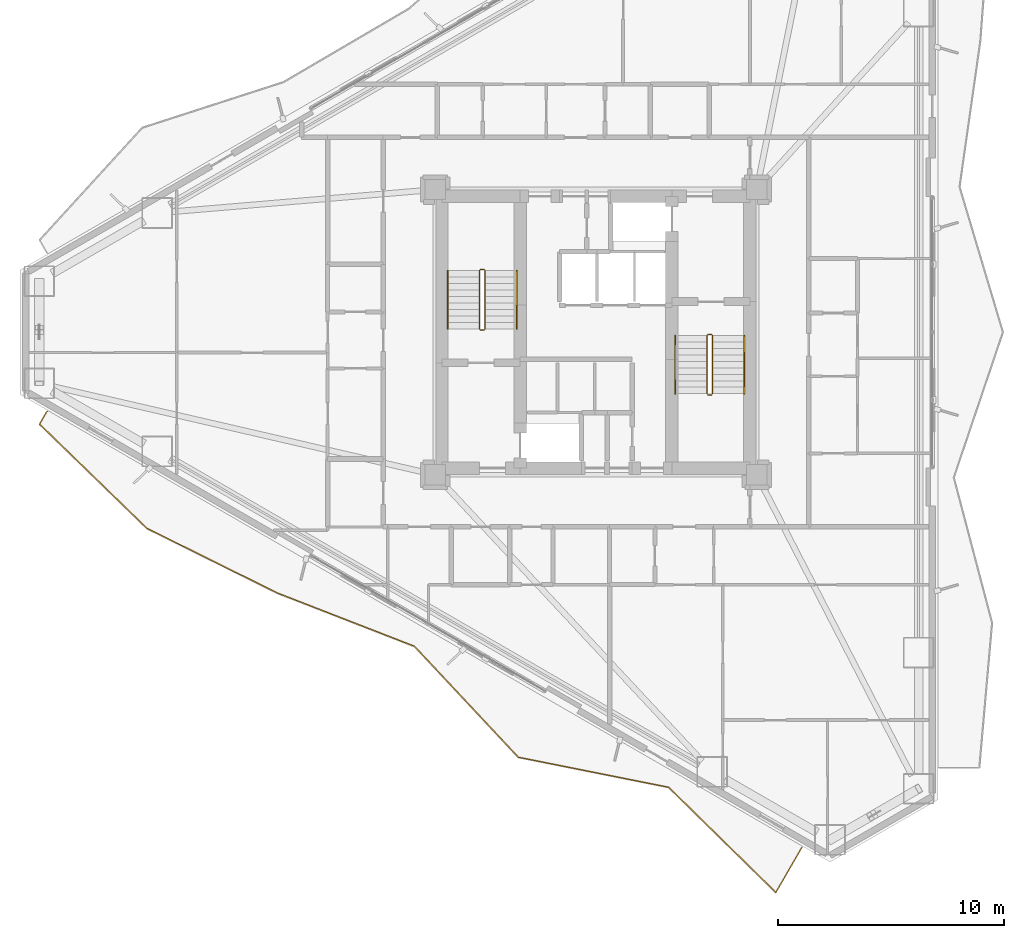
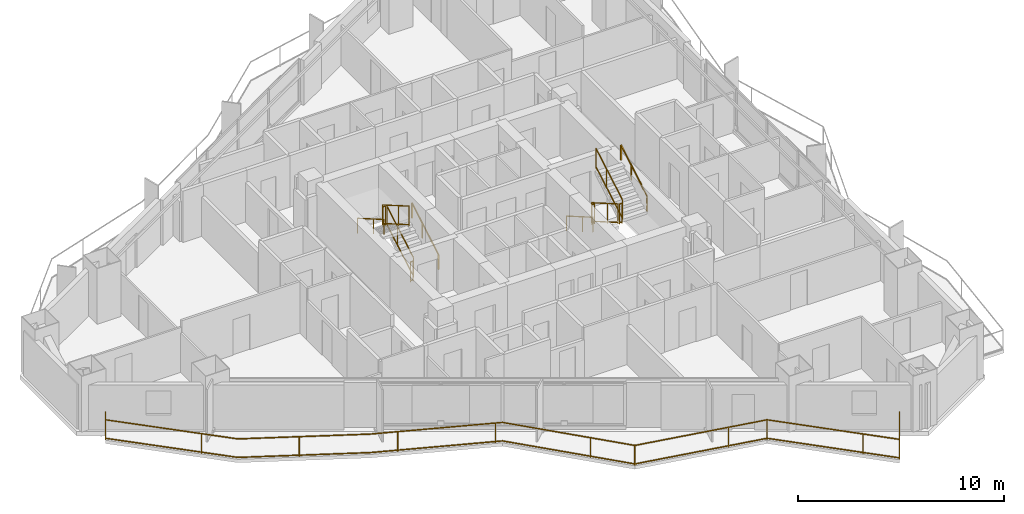
# One storey, part 18 of 19: 13 railings.
"""IFC4 building model written with IfcOpenShell, lengths in metres."""

import ifcopenshell
import ifcopenshell.guid

model = None  # the IFC model being written
_history = None  # IfcOwnerHistory: only IFC2X3 demands one
_inside = {}  # id of a spatial element -> (the spatial element, [elements in it])
_under = {}  # id of a project, library or spatial element -> (it, [spatial elements below it])
_declared = {}  # id of a project -> (the project, [libraries it declares])
_typed = {}  # id of a type object -> (the type object, [elements of that type])
_made_of = {}  # id of a material, layer set ... -> (it, [elements and type objects made of it])


def new_model(schema):
    """Start an empty IFC model of exactly this schema.

    Asked for "IFC4X3", IfcOpenShell would pick the latest addendum, in which some entities
    have other attributes; the version numbers below select the first issue.
    IFC2X3 requires an IfcOwnerHistory on every rooted entity: one is made here for all.
    """
    global model, _history
    if schema == "IFC4X3":
        model = ifcopenshell.file(schema_version=(4, 3, 0, 0))
    else:
        model = ifcopenshell.file(schema=schema)
    _inside.clear()
    _under.clear()
    _declared.clear()
    _typed.clear()
    _made_of.clear()
    _history = None
    if model.schema == "IFC2X3":
        org = make("IfcOrganization", Name="unknown")
        user = make(
            "IfcPersonAndOrganization",
            ThePerson=make("IfcPerson", FamilyName="unknown"),
            TheOrganization=org,
        )
        app = make(
            "IfcApplication",
            ApplicationDeveloper=org,
            Version="unknown",
            ApplicationFullName="unknown",
            ApplicationIdentifier="unknown",
        )
        _history = make(
            "IfcOwnerHistory",
            OwningUser=user,
            OwningApplication=app,
            ChangeAction="ADDED",
            CreationDate=0,
        )
    return model


def make(cls, **values):
    """One entity of the class cls with the attributes given. An attribute that is None is left unset."""
    return model.create_entity(
        cls, **{name: value for name, value in values.items() if value is not None}
    )


def rooted(cls, **values):
    """An entity with a GlobalId (a new one), such as an element, a storey or a relation."""
    return make(cls, GlobalId=ifcopenshell.guid.new(), OwnerHistory=_history, **values)


def si_unit(unit_type, name, prefix=None):
    """IfcSIUnit, for example si_unit("LENGTHUNIT", "METRE", prefix="MILLI")."""
    return make("IfcSIUnit", UnitType=unit_type, Prefix=prefix, Name=name)


def assignment(units):
    """IfcUnitAssignment: the units of a project."""
    return None if units is None else make("IfcUnitAssignment", Units=units)


def point(xyz):
    """IfcCartesianPoint."""
    return None if xyz is None else make("IfcCartesianPoint", Coordinates=xyz)


def direction(xyz):
    """IfcDirection."""
    return None if xyz is None else make("IfcDirection", DirectionRatios=xyz)


def frame(location, z_axis=None, x_axis=None):
    """IfcAxis2Placement3D, a coordinate frame: its origin and axes. An axis left out is left unset."""
    return make(
        "IfcAxis2Placement3D",
        Location=point(location),
        Axis=direction(z_axis),
        RefDirection=direction(x_axis),
    )


def frame_2d(location, x_axis=None):
    """IfcAxis2Placement2D, a coordinate frame in the plane: its origin and x axis."""
    return make(
        "IfcAxis2Placement2D", Location=point(location), RefDirection=direction(x_axis)
    )


def origin():
    """The frame at (0, 0, 0) with its axes left unset."""
    return frame((0.0, 0.0, 0.0))


def origin_2d():
    """The frame at (0, 0) in the plane with its x axis left unset."""
    return frame_2d((0.0, 0.0))


def place(relative_to, where):
    """IfcLocalPlacement: puts the frame where relative to a parent placement (None: the world)."""
    return make(
        "IfcLocalPlacement", PlacementRelTo=relative_to, RelativePlacement=where
    )


def context(
    kind, dimensions, precision=None, world=None, true_north=None, identifier=None
):
    """IfcGeometricRepresentationContext, for example the 3D "Model" context."""
    return make(
        "IfcGeometricRepresentationContext",
        ContextIdentifier=identifier,
        ContextType=kind,
        CoordinateSpaceDimension=dimensions,
        Precision=precision,
        WorldCoordinateSystem=world,
        TrueNorth=true_north,
    )


def subcontext(parent, identifier, kind, view, scale=None):
    """IfcGeometricRepresentationSubContext, for example "Body" below "Model"."""
    return make(
        "IfcGeometricRepresentationSubContext",
        ContextIdentifier=identifier,
        ContextType=kind,
        ParentContext=parent,
        TargetScale=scale,
        TargetView=view,
    )


def project(units=None, contexts=None):
    """IfcProject with its units and contexts."""
    return rooted(
        "IfcProject",
        Name="project",
        RepresentationContexts=contexts,
        UnitsInContext=assignment(units),
    )


def spatial(cls, under=None, at=None, **own):
    """A site, building, storey or space (cls), placed at a placement, below another one or the project."""
    s = rooted(cls, ObjectPlacement=at, **own)
    if under is not None:
        _under.setdefault(under.id(), (under, []))[1].append(s)
    return s


def profile(cls, at=None, kind="AREA", **sizes):
    """A parametric profile (cls). Its sizes go by their IFC names, for example OverallWidth=200.0."""
    return make(cls, ProfileType=kind, Position=at, **sizes)


def rectangle(**sizes):
    """IfcRectangleProfileDef."""
    return profile("IfcRectangleProfileDef", **sizes)


def extrude(swept, where, along, depth):
    """IfcExtrudedAreaSolid: the profile swept, set in the frame where, extruded along a direction by depth."""
    return make(
        "IfcExtrudedAreaSolid",
        SweptArea=swept,
        Position=where,
        ExtrudedDirection=direction(along),
        Depth=depth,
    )


def shape(context_of_items, identifier, shape_type, items):
    """IfcShapeRepresentation: the items that make up one representation, for example the "Body"."""
    return make(
        "IfcShapeRepresentation",
        ContextOfItems=context_of_items,
        RepresentationIdentifier=identifier,
        RepresentationType=shape_type,
        Items=items,
    )


def material(Name=None, Category=None):
    """IfcMaterial."""
    return make("IfcMaterial", Name=Name, Category=Category)


def made_of(thing, what):
    """Note that an element or type object is made of a material, layer set ...; save() writes the relation."""
    if what is not None:
        _made_of.setdefault(what.id(), (what, []))[1].append(thing)
    return thing


def type_object(cls, material=None, **own):
    """A type object (cls), such as IfcWallType, which elements share."""
    return made_of(rooted(cls, **own), material)


def element(
    cls,
    number,
    at=None,
    inside=None,
    cuts=None,
    type_object=None,
    material=None,
    context=None,
    identifier="Body",
    shape_type=None,
    held_by="IfcProductDefinitionShape",
    body=None,
    shapes=None,
    **own,
):
    """One element of the class cls, such as IfcWall. Its Tag is "e" and its number.

    at: its placement. inside: the storey or other place that contains it. cuts: it is an
    opening in that element (IfcRelVoidsElement). A single representation is given by context,
    identifier, shape_type and body (its items); several are given by shapes. held_by: the class
    of the entity that holds the representations. save() writes the other relations.
    """
    e = rooted(cls, Tag="e%d" % number, ObjectPlacement=at, **own)
    if body is not None:
        shapes = [shape(context, identifier, shape_type, body)]
    if shapes is not None:
        e.Representation = make(held_by, Representations=shapes)
    if inside is not None:
        _inside.setdefault(inside.id(), (inside, []))[1].append(e)
    if cuts is not None:
        rooted(
            "IfcRelVoidsElement", RelatingBuildingElement=cuts, RelatedOpeningElement=e
        )
    if type_object is not None:
        _typed.setdefault(type_object.id(), (type_object, []))[1].append(e)
    return made_of(e, material)


def aggregate(whole, parts):
    """IfcRelAggregates: a whole, such as a stair, and the parts it consists of."""
    return rooted("IfcRelAggregates", RelatingObject=whole, RelatedObjects=parts)


def save(model, path):
    """Write the relations noted so far, then the file.

    IfcRelAggregates (storeys below a building ...), IfcRelContainedInSpatialStructure (elements
    in a storey), IfcRelDefinesByType, IfcRelAssociatesMaterial and IfcRelDeclares: one each for
    every whole, place, type object, material and project.
    """
    for whole, parts in _under.values():
        aggregate(whole, parts)
    for where, things in _inside.values():
        rooted(
            "IfcRelContainedInSpatialStructure",
            RelatedElements=things,
            RelatingStructure=where,
        )
    for kind, things in _typed.values():
        rooted("IfcRelDefinesByType", RelatedObjects=things, RelatingType=kind)
    for what, things in _made_of.values():
        rooted("IfcRelAssociatesMaterial", RelatedObjects=things, RelatingMaterial=what)
    for by, libraries in _declared.values():
        rooted("IfcRelDeclares", RelatingContext=by, RelatedDefinitions=libraries)
    model.write(path)


model = new_model("IFC4")

# Units and contexts
model_context = context("Model", 3, precision=1e-05, world=origin(), true_north=direction((0.0, 1.0)))
body_context = subcontext(model_context, "Body", "Model", "MODEL_VIEW")
ifc_project = project(units=[si_unit("LENGTHUNIT", "METRE"), si_unit("AREAUNIT", "SQUARE_METRE"), si_unit("VOLUMEUNIT", "CUBIC_METRE"), si_unit("PLANEANGLEUNIT", "RADIAN"), si_unit("MASSUNIT", "GRAM", prefix="KILO")], contexts=[model_context])

# Site, building, storey
site_placement = place(None, origin())
site = spatial("IfcSite", under=ifc_project, at=site_placement, CompositionType="ELEMENT")
building_placement = place(site_placement, origin())
building = spatial("IfcBuilding", under=site, at=building_placement, Name="Mersakhor Tower and Convention Hall", CompositionType="ELEMENT")
storey_placement = place(building_placement, frame((0.0, 0.0, 25.800048828125)))
storey = spatial("IfcBuildingStorey", under=building, at=storey_placement, Name="L06", CompositionType="ELEMENT", Elevation=25.800048828125)

# Railings
ifc_material_1 = material(Name="Powder-coated galvanised steel and laminated glass balustrade", Category="steel")
railing_type_1 = type_object("IfcRailingType", Name="RL-BAL-1200", PredefinedType="BALUSTRADE", material=ifc_material_1)
railing_1_placement = place(storey_placement, frame((4.75048828125, 23.256591796875, 0.0)))
element("IfcRailing", 1, at=railing_1_placement, inside=storey, type_object=railing_type_1, Name="L06 Sinusoidal Balcony Balustrade F3", PredefinedType="BALUSTRADE", context=body_context, shape_type="SweptSolid", body=[
    extrude(rectangle(XDim=0.048095703125, YDim=0.048095703125, at=origin_2d()), frame((0.0, 0.0, 1.17578125), z_axis=(-0.500058503878, -0.86599162392, 0.0), x_axis=(0.86599162392, -0.500058503878, 0.0)), (0.0, 0.0, 1.0), 0.64990234375),
    extrude(rectangle(XDim=0.048095703125, YDim=0.048095703125, at=origin_2d()), frame((0.0, 0.0, 0.080078125), z_axis=(-0.500058503878, -0.86599162392, 0.0), x_axis=(0.86599162392, -0.500058503878, 0.0)), (0.0, 0.0, 1.0), 0.64990234375),
    extrude(rectangle(XDim=0.048095703125, YDim=0.048095703125, at=origin_2d()), frame((-0.324951171875, -0.562744140625, 1.17578125), z_axis=(0.717559545038, -0.696497163903, 0.0), x_axis=(0.696497163903, 0.717559545038, 0.0)), (0.0, 0.0, 1.0), 6.61865234375),
    extrude(rectangle(XDim=0.048095703125, YDim=0.048095703125, at=origin_2d()), frame((-0.324951171875, -0.562744140625, 0.080078125), z_axis=(0.717559545038, -0.696497163903, 0.0), x_axis=(0.696497163903, 0.717559545038, 0.0)), (0.0, 0.0, 1.0), 6.61865234375),
    extrude(rectangle(XDim=0.048095703125, YDim=0.048095703125, at=origin_2d()), frame((4.42431640625, -5.172607421875, 1.17578125), z_axis=(0.895940578023, -0.44417393063, 0.0), x_axis=(0.44417393063, 0.895940578023, 0.0)), (0.0, 0.0, 1.0), 6.430908203125),
    extrude(rectangle(XDim=0.048095703125, YDim=0.048095703125, at=origin_2d()), frame((4.42431640625, -5.172607421875, 0.080078125), z_axis=(0.895940578023, -0.44417393063, 0.0), x_axis=(0.44417393063, 0.895940578023, 0.0)), (0.0, 0.0, 1.0), 6.430908203125),
    extrude(rectangle(XDim=0.048095703125, YDim=0.048095703125, at=origin_2d()), frame((10.18603515625, -8.029052734375, 1.17578125), z_axis=(0.932072387988, -0.362272084973, 0.0), x_axis=(0.362272084973, 0.932072387988, 0.0)), (0.0, 0.0, 1.0), 6.493896484375),
    extrude(rectangle(XDim=0.048095703125, YDim=0.048095703125, at=origin_2d()), frame((10.18603515625, -8.029052734375, 0.080078125), z_axis=(0.932072387988, -0.362272084973, 0.0), x_axis=(0.362272084973, 0.932072387988, 0.0)), (0.0, 0.0, 1.0), 6.493896484375),
    extrude(rectangle(XDim=0.048095703125, YDim=0.048095703125, at=origin_2d()), frame((16.23876953125, -10.381591796875, 1.17578125), z_axis=(0.683427589889, -0.730018307564, 0.0), x_axis=(0.730018307564, 0.683427589889, 0.0)), (0.0, 0.0, 1.0), 6.707275390625),
    extrude(rectangle(XDim=0.048095703125, YDim=0.048095703125, at=origin_2d()), frame((16.23876953125, -10.381591796875, 0.080078125), z_axis=(0.683427589889, -0.730018307564, 0.0), x_axis=(0.730018307564, 0.683427589889, 0.0)), (0.0, 0.0, 1.0), 6.707275390625),
    extrude(rectangle(XDim=0.048095703125, YDim=0.048095703125, at=origin_2d()), frame((20.82275390625, -15.278076171875, 1.17578125), z_axis=(0.980546010158, -0.196289383217, 0.0), x_axis=(0.196289383217, 0.980546010158, 0.0)), (0.0, 0.0, 1.0), 6.77490234375),
    extrude(rectangle(XDim=0.048095703125, YDim=0.048095703125, at=origin_2d()), frame((20.82275390625, -15.278076171875, 0.080078125), z_axis=(0.980546010158, -0.196289383217, 0.0), x_axis=(0.196289383217, 0.980546010158, 0.0)), (0.0, 0.0, 1.0), 6.77490234375),
    extrude(rectangle(XDim=0.048095703125, YDim=0.048095703125, at=origin_2d()), frame((27.4658203125, -16.60791015625, 1.17578125), z_axis=(0.713760811358, -0.70038953745, 0.0), x_axis=(0.70038953745, 0.713760811358, 0.0)), (0.0, 0.0, 1.0), 6.6279296875),
    extrude(rectangle(XDim=0.048095703125, YDim=0.048095703125, at=origin_2d()), frame((27.4658203125, -16.60791015625, 0.080078125), z_axis=(0.713760811358, -0.70038953745, 0.0), x_axis=(0.70038953745, 0.713760811358, 0.0)), (0.0, 0.0, 1.0), 6.6279296875),
    extrude(rectangle(XDim=0.048095703125, YDim=0.048095703125, at=origin_2d()), frame((32.196533203125, -21.25, 1.17578125), z_axis=(0.500046407882, 0.865998608524, 0.0), x_axis=(-0.865998608524, 0.500046407882, 0.0)), (0.0, 0.0, 1.0), 2.304931640625),
    extrude(rectangle(XDim=0.048095703125, YDim=0.048095703125, at=origin_2d()), frame((32.196533203125, -21.25, 0.080078125), z_axis=(0.500046407882, 0.865998608524, 0.0), x_axis=(-0.865998608524, 0.500046407882, 0.0)), (0.0, 0.0, 1.0), 2.304931640625),
    extrude(rectangle(XDim=0.0419921875, YDim=0.0419921875, at=origin_2d()), origin(), (0.0, 0.0, 1.0), 1.15185546875),
    extrude(rectangle(XDim=0.0419921875, YDim=0.0419921875, at=origin_2d()), frame((-0.324951171875, -0.562744140625, 0.0)), (0.0, 0.0, 1.0), 1.15185546875),
    extrude(rectangle(XDim=0.0419921875, YDim=0.0419921875, at=origin_2d()), frame((3.119384765625, -3.906005859375, 0.0)), (0.0, 0.0, 1.0), 1.15185546875),
    extrude(rectangle(XDim=0.0419921875, YDim=0.0419921875, at=origin_2d()), frame((7.095458984375, -6.496826171875, 0.0)), (0.0, 0.0, 1.0), 1.15185546875),
    extrude(rectangle(XDim=0.0419921875, YDim=0.0419921875, at=origin_2d()), frame((11.44482421875, -8.518310546875, 0.0)), (0.0, 0.0, 1.0), 1.15185546875),
    extrude(rectangle(XDim=0.0419921875, YDim=0.0419921875, at=origin_2d()), frame((15.918701171875, -10.257080078125, 0.0)), (0.0, 0.0, 1.0), 1.15185546875),
    extrude(rectangle(XDim=0.0419921875, YDim=0.0419921875, at=origin_2d()), frame((19.284423828125, -13.635009765625, 0.0)), (0.0, 0.0, 1.0), 1.15185546875),
    extrude(rectangle(XDim=0.0419921875, YDim=0.0419921875, at=origin_2d()), frame((20.82275390625, -15.278076171875, 0.0)), (0.0, 0.0, 1.0), 1.15185546875),
    extrude(rectangle(XDim=0.0419921875, YDim=0.0419921875, at=origin_2d()), frame((25.529296875, -16.22021484375, 0.0)), (0.0, 0.0, 1.0), 1.15185546875),
    extrude(rectangle(XDim=0.0419921875, YDim=0.0419921875, at=origin_2d()), frame((27.4658203125, -16.60791015625, 0.0)), (0.0, 0.0, 1.0), 1.15185546875),
    extrude(rectangle(XDim=0.0419921875, YDim=0.0419921875, at=origin_2d()), frame((30.891845703125, -19.9697265625, 0.0)), (0.0, 0.0, 1.0), 1.15185546875),
    extrude(rectangle(XDim=0.0419921875, YDim=0.0419921875, at=origin_2d()), frame((32.196533203125, -21.25, 0.0)), (0.0, 0.0, 1.0), 1.15185546875),
    extrude(rectangle(XDim=0.0419921875, YDim=0.0419921875, at=origin_2d()), frame((33.34912109375, -19.25390625, 0.0)), (0.0, 0.0, 1.0), 1.15185546875),
])
ifc_material_2 = material(Name="Brushed stainless steel handrail", Category="steel")
railing_type_2 = type_object("IfcRailingType", Name="RL-HR-900", PredefinedType="HANDRAIL", material=ifc_material_2)
railing_2_placement = place(storey_placement, frame((25.5, 26.89990234375, 0.1650390625)))
element("IfcRailing", 2, at=railing_2_placement, inside=storey, type_object=railing_type_2, Name="L06 ST-1 stair handrail 1", PredefinedType="HANDRAIL", context=body_context, shape_type="SweptSolid", body=[
    extrude(rectangle(XDim=0.048095703125, YDim=0.048095703125, at=origin_2d()), frame((0.0, 0.0, 0.8759765625), z_axis=(0.0, 0.865461999751, 0.500974577186), x_axis=(-1.0, 0.0, 0.0)), (0.0, 0.0, 1.0), 2.9638671875),
    extrude(rectangle(XDim=0.0419921875, YDim=0.0419921875, at=origin_2d()), origin(), (0.0, 0.0, 1.0), 0.851806640625),
    extrude(rectangle(XDim=0.0419921875, YDim=0.0419921875, at=origin_2d()), frame((0.0, 1.557861328125, 0.90185546875)), (0.0, 0.0, 1.0), 0.851806640625),
    extrude(rectangle(XDim=0.0419921875, YDim=0.0419921875, at=origin_2d()), frame((0.0, 2.565185546875, 1.48486328125)), (0.0, 0.0, 1.0), 0.851806640625),
])
railing_3_placement = place(storey_placement, frame((22.449951171875, 29.465087890625, 1.81494140625)))
element("IfcRailing", 3, at=railing_3_placement, inside=storey, type_object=railing_type_2, Name="L06 ST-1 stair handrail 2", PredefinedType="HANDRAIL", context=body_context, shape_type="SweptSolid", body=[
    extrude(rectangle(XDim=0.048095703125, YDim=0.048095703125, at=origin_2d()), frame((0.0, 0.0, 0.8759765625), z_axis=(0.0, -0.865426285481, 0.501036270542), x_axis=(1.0, 0.0, 0.0)), (0.0, 0.0, 1.0), 2.964111328125),
    extrude(rectangle(XDim=0.0419921875, YDim=0.0419921875, at=origin_2d()), origin(), (0.0, 0.0, 1.0), 0.851806640625),
    extrude(rectangle(XDim=0.0419921875, YDim=0.0419921875, at=origin_2d()), frame((0.0, -1.557861328125, 0.90185546875)), (0.0, 0.0, 1.0), 0.851806640625),
    extrude(rectangle(XDim=0.0419921875, YDim=0.0419921875, at=origin_2d()), frame((0.0, -2.565185546875, 1.485107421875)), (0.0, 0.0, 1.0), 0.851806640625),
])
railing_4_placement = place(storey_placement, frame((32.5, 26.60009765625, 0.1650390625)))
element("IfcRailing", 4, at=railing_4_placement, inside=storey, type_object=railing_type_2, Name="L06 ST-2 stair handrail 1", PredefinedType="HANDRAIL", context=body_context, shape_type="SweptSolid", body=[
    extrude(rectangle(XDim=0.048095703125, YDim=0.048095703125, at=origin_2d()), frame((0.0, 0.0, 0.8759765625), z_axis=(0.0, -0.865461999751, 0.500974577186), x_axis=(1.0, 0.0, 0.0)), (0.0, 0.0, 1.0), 2.9638671875),
    extrude(rectangle(XDim=0.0419921875, YDim=0.0419921875, at=origin_2d()), origin(), (0.0, 0.0, 1.0), 0.851806640625),
    extrude(rectangle(XDim=0.0419921875, YDim=0.0419921875, at=origin_2d()), frame((0.0, -1.557861328125, 0.90185546875)), (0.0, 0.0, 1.0), 0.851806640625),
    extrude(rectangle(XDim=0.0419921875, YDim=0.0419921875, at=origin_2d()), frame((0.0, -2.565185546875, 1.48486328125)), (0.0, 0.0, 1.0), 0.851806640625),
])
railing_5_placement = place(storey_placement, frame((35.550048828125, 24.034912109375, 1.81494140625)))
element("IfcRailing", 5, at=railing_5_placement, inside=storey, type_object=railing_type_2, Name="L06 ST-2 stair handrail 2", PredefinedType="HANDRAIL", context=body_context, shape_type="SweptSolid", body=[
    extrude(rectangle(XDim=0.048095703125, YDim=0.048095703125, at=origin_2d()), frame((0.0, 0.0, 0.8759765625), z_axis=(0.0, 0.865426285481, 0.501036270542), x_axis=(-1.0, 0.0, 0.0)), (0.0, 0.0, 1.0), 2.964111328125),
    extrude(rectangle(XDim=0.0419921875, YDim=0.0419921875, at=origin_2d()), origin(), (0.0, 0.0, 1.0), 0.851806640625),
    extrude(rectangle(XDim=0.0419921875, YDim=0.0419921875, at=origin_2d()), frame((0.0, 1.557861328125, 0.90185546875)), (0.0, 0.0, 1.0), 0.851806640625),
    extrude(rectangle(XDim=0.0419921875, YDim=0.0419921875, at=origin_2d()), frame((0.0, 2.565185546875, 1.485107421875)), (0.0, 0.0, 1.0), 0.851806640625),
])
ifc_material_3 = material(Name="Painted steel stair balustrade S355", Category="steel")
railing_type_3 = type_object("IfcRailingType", Name="RL-STG-1200", PredefinedType="BALUSTRADE", material=ifc_material_3)
railing_6_placement = place(storey_placement, frame((24.10009765625, 26.89990234375, 0.1650390625)))
element("IfcRailing", 6, at=railing_6_placement, inside=storey, type_object=railing_type_3, Name="L06 ST-1 stair guard 1", PredefinedType="BALUSTRADE", context=body_context, shape_type="SweptSolid", body=[
    extrude(rectangle(XDim=0.048095703125, YDim=0.048095703125, at=origin_2d()), frame((0.0, 0.0, 1.17578125), z_axis=(0.0, 0.865461999751, 0.500974577186), x_axis=(-1.0, 0.0, 0.0)), (0.0, 0.0, 1.0), 2.9638671875),
    extrude(rectangle(XDim=0.048095703125, YDim=0.048095703125, at=origin_2d()), frame((0.0, 0.0, 0.080078125), z_axis=(0.0, 0.865461999751, 0.500974577186), x_axis=(-1.0, 0.0, 0.0)), (0.0, 0.0, 1.0), 2.9638671875),
    extrude(rectangle(XDim=0.0419921875, YDim=0.0419921875, at=origin_2d()), origin(), (0.0, 0.0, 1.0), 1.15185546875),
    extrude(rectangle(XDim=0.0419921875, YDim=0.0419921875, at=origin_2d()), frame((0.0, 1.557861328125, 0.90185546875)), (0.0, 0.0, 1.0), 1.15185546875),
    extrude(rectangle(XDim=0.0419921875, YDim=0.0419921875, at=origin_2d()), frame((0.0, 2.565185546875, 1.48486328125)), (0.0, 0.0, 1.0), 1.15185546875),
])
railing_7_placement = place(storey_placement, frame((24.050048828125, 29.514892578125, 1.64990234375)))
element("IfcRailing", 7, at=railing_7_placement, inside=storey, type_object=railing_type_3, Name="L06 ST-1 stair guard 2", PredefinedType="BALUSTRADE", context=body_context, shape_type="SweptSolid", body=[
    extrude(rectangle(XDim=0.048095703125, YDim=0.048095703125, at=origin_2d()), frame((0.0, 0.0, 1.17578125), z_axis=(-1.0, 0.0, 0.0), x_axis=(0.0, -1.0, 0.0)), (0.0, 0.0, 1.0), 0.150146484375),
    extrude(rectangle(XDim=0.048095703125, YDim=0.048095703125, at=origin_2d()), frame((0.0, 0.0, 0.080078125), z_axis=(-1.0, 0.0, 0.0), x_axis=(0.0, -1.0, 0.0)), (0.0, 0.0, 1.0), 0.150146484375),
    extrude(rectangle(XDim=0.0419921875, YDim=0.0419921875, at=origin_2d()), origin(), (0.0, 0.0, 1.0), 1.15185546875),
    extrude(rectangle(XDim=0.0419921875, YDim=0.0419921875, at=origin_2d()), frame((-0.150146484375, 0.0, 0.0)), (0.0, 0.0, 1.0), 1.15185546875),
])
railing_8_placement = place(storey_placement, frame((23.85009765625, 29.465087890625, 1.81494140625)))
element("IfcRailing", 8, at=railing_8_placement, inside=storey, type_object=railing_type_3, Name="L06 ST-1 stair guard 3", PredefinedType="BALUSTRADE", context=body_context, shape_type="SweptSolid", body=[
    extrude(rectangle(XDim=0.048095703125, YDim=0.048095703125, at=origin_2d()), frame((0.0, 0.0, 1.17578125), z_axis=(0.0, -0.865426285481, 0.501036270542), x_axis=(1.0, 0.0, 0.0)), (0.0, 0.0, 1.0), 2.964111328125),
    extrude(rectangle(XDim=0.048095703125, YDim=0.048095703125, at=origin_2d()), frame((0.0, 0.0, 0.080078125), z_axis=(0.0, -0.865426285481, 0.501036270542), x_axis=(1.0, 0.0, 0.0)), (0.0, 0.0, 1.0), 2.964111328125),
    extrude(rectangle(XDim=0.0419921875, YDim=0.0419921875, at=origin_2d()), origin(), (0.0, 0.0, 1.0), 1.15185546875),
    extrude(rectangle(XDim=0.0419921875, YDim=0.0419921875, at=origin_2d()), frame((0.0, -1.557861328125, 0.90185546875)), (0.0, 0.0, 1.0), 1.15185546875),
    extrude(rectangle(XDim=0.0419921875, YDim=0.0419921875, at=origin_2d()), frame((0.0, -2.565185546875, 1.485107421875)), (0.0, 0.0, 1.0), 1.15185546875),
])
railing_9_placement = place(storey_placement, frame((24.050048828125, 26.85009765625, 0.0)))
element("IfcRailing", 9, at=railing_9_placement, inside=storey, type_object=railing_type_3, Name="L06 ST-1 stair guard 4", PredefinedType="BALUSTRADE", context=body_context, shape_type="SweptSolid", body=[
    extrude(rectangle(XDim=0.048095703125, YDim=0.048095703125, at=origin_2d()), frame((0.0, 0.0, 1.17578125), z_axis=(-1.0, 0.0, 0.0), x_axis=(0.0, -1.0, 0.0)), (0.0, 0.0, 1.0), 0.150146484375),
    extrude(rectangle(XDim=0.048095703125, YDim=0.048095703125, at=origin_2d()), frame((0.0, 0.0, 0.080078125), z_axis=(-1.0, 0.0, 0.0), x_axis=(0.0, -1.0, 0.0)), (0.0, 0.0, 1.0), 0.150146484375),
    extrude(rectangle(XDim=0.0419921875, YDim=0.0419921875, at=origin_2d()), origin(), (0.0, 0.0, 1.0), 1.15185546875),
    extrude(rectangle(XDim=0.0419921875, YDim=0.0419921875, at=origin_2d()), frame((-0.150146484375, 0.0, 0.0)), (0.0, 0.0, 1.0), 1.15185546875),
])
railing_10_placement = place(storey_placement, frame((33.89990234375, 26.60009765625, 0.1650390625)))
element("IfcRailing", 10, at=railing_10_placement, inside=storey, type_object=railing_type_3, Name="L06 ST-2 stair guard 1", PredefinedType="BALUSTRADE", context=body_context, shape_type="SweptSolid", body=[
    extrude(rectangle(XDim=0.048095703125, YDim=0.048095703125, at=origin_2d()), frame((0.0, 0.0, 1.17578125), z_axis=(0.0, -0.865461999751, 0.500974577186), x_axis=(1.0, 0.0, 0.0)), (0.0, 0.0, 1.0), 2.9638671875),
    extrude(rectangle(XDim=0.048095703125, YDim=0.048095703125, at=origin_2d()), frame((0.0, 0.0, 0.080078125), z_axis=(0.0, -0.865461999751, 0.500974577186), x_axis=(1.0, 0.0, 0.0)), (0.0, 0.0, 1.0), 2.9638671875),
    extrude(rectangle(XDim=0.0419921875, YDim=0.0419921875, at=origin_2d()), origin(), (0.0, 0.0, 1.0), 1.15185546875),
    extrude(rectangle(XDim=0.0419921875, YDim=0.0419921875, at=origin_2d()), frame((0.0, -1.557861328125, 0.90185546875)), (0.0, 0.0, 1.0), 1.15185546875),
    extrude(rectangle(XDim=0.0419921875, YDim=0.0419921875, at=origin_2d()), frame((0.0, -2.565185546875, 1.48486328125)), (0.0, 0.0, 1.0), 1.15185546875),
])
railing_11_placement = place(storey_placement, frame((33.949951171875, 23.985107421875, 1.64990234375)))
element("IfcRailing", 11, at=railing_11_placement, inside=storey, type_object=railing_type_3, Name="L06 ST-2 stair guard 2", PredefinedType="BALUSTRADE", context=body_context, shape_type="SweptSolid", body=[
    extrude(rectangle(XDim=0.048095703125, YDim=0.048095703125, at=origin_2d()), frame((0.0, 0.0, 1.17578125), z_axis=(1.0, 0.0, 0.0), x_axis=(0.0, 1.0, 0.0)), (0.0, 0.0, 1.0), 0.150146484375),
    extrude(rectangle(XDim=0.048095703125, YDim=0.048095703125, at=origin_2d()), frame((0.0, 0.0, 0.080078125), z_axis=(1.0, 0.0, 0.0), x_axis=(0.0, 1.0, 0.0)), (0.0, 0.0, 1.0), 0.150146484375),
    extrude(rectangle(XDim=0.0419921875, YDim=0.0419921875, at=origin_2d()), origin(), (0.0, 0.0, 1.0), 1.15185546875),
    extrude(rectangle(XDim=0.0419921875, YDim=0.0419921875, at=origin_2d()), frame((0.150146484375, 0.0, 0.0)), (0.0, 0.0, 1.0), 1.15185546875),
])
railing_12_placement = place(storey_placement, frame((34.14990234375, 24.034912109375, 1.81494140625)))
element("IfcRailing", 12, at=railing_12_placement, inside=storey, type_object=railing_type_3, Name="L06 ST-2 stair guard 3", PredefinedType="BALUSTRADE", context=body_context, shape_type="SweptSolid", body=[
    extrude(rectangle(XDim=0.048095703125, YDim=0.048095703125, at=origin_2d()), frame((0.0, 0.0, 1.17578125), z_axis=(0.0, 0.865426285481, 0.501036270542), x_axis=(-1.0, 0.0, 0.0)), (0.0, 0.0, 1.0), 2.964111328125),
    extrude(rectangle(XDim=0.048095703125, YDim=0.048095703125, at=origin_2d()), frame((0.0, 0.0, 0.080078125), z_axis=(0.0, 0.865426285481, 0.501036270542), x_axis=(-1.0, 0.0, 0.0)), (0.0, 0.0, 1.0), 2.964111328125),
    extrude(rectangle(XDim=0.0419921875, YDim=0.0419921875, at=origin_2d()), origin(), (0.0, 0.0, 1.0), 1.15185546875),
    extrude(rectangle(XDim=0.0419921875, YDim=0.0419921875, at=origin_2d()), frame((0.0, 1.557861328125, 0.90185546875)), (0.0, 0.0, 1.0), 1.15185546875),
    extrude(rectangle(XDim=0.0419921875, YDim=0.0419921875, at=origin_2d()), frame((0.0, 2.565185546875, 1.485107421875)), (0.0, 0.0, 1.0), 1.15185546875),
])
railing_13_placement = place(storey_placement, frame((33.949951171875, 26.64990234375, 0.0)))
element("IfcRailing", 13, at=railing_13_placement, inside=storey, type_object=railing_type_3, Name="L06 ST-2 stair guard 4", PredefinedType="BALUSTRADE", context=body_context, shape_type="SweptSolid", body=[
    extrude(rectangle(XDim=0.048095703125, YDim=0.048095703125, at=origin_2d()), frame((0.0, 0.0, 1.17578125), z_axis=(1.0, 0.0, 0.0), x_axis=(0.0, 1.0, 0.0)), (0.0, 0.0, 1.0), 0.150146484375),
    extrude(rectangle(XDim=0.048095703125, YDim=0.048095703125, at=origin_2d()), frame((0.0, 0.0, 0.080078125), z_axis=(1.0, 0.0, 0.0), x_axis=(0.0, 1.0, 0.0)), (0.0, 0.0, 1.0), 0.150146484375),
    extrude(rectangle(XDim=0.0419921875, YDim=0.0419921875, at=origin_2d()), origin(), (0.0, 0.0, 1.0), 1.15185546875),
    extrude(rectangle(XDim=0.0419921875, YDim=0.0419921875, at=origin_2d()), frame((0.150146484375, 0.0, 0.0)), (0.0, 0.0, 1.0), 1.15185546875),
])

save(model, "model.ifc")
